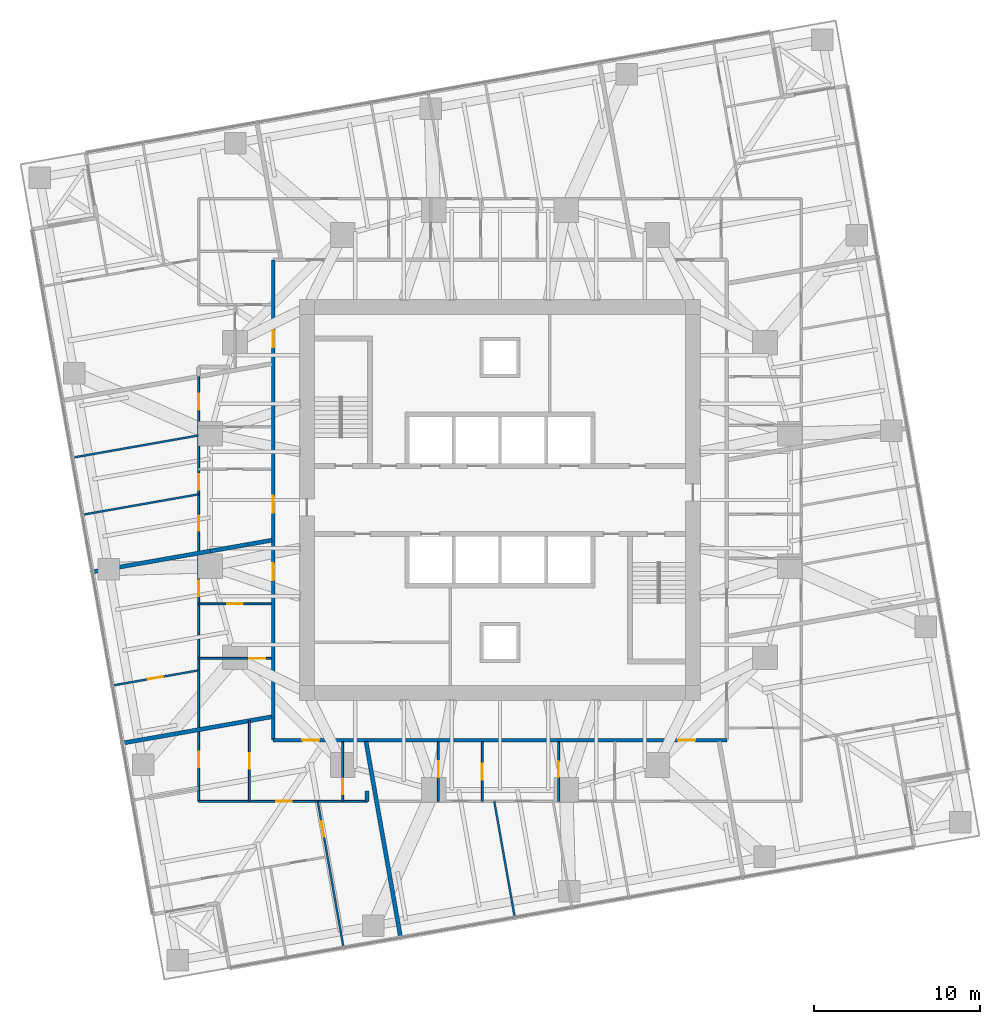
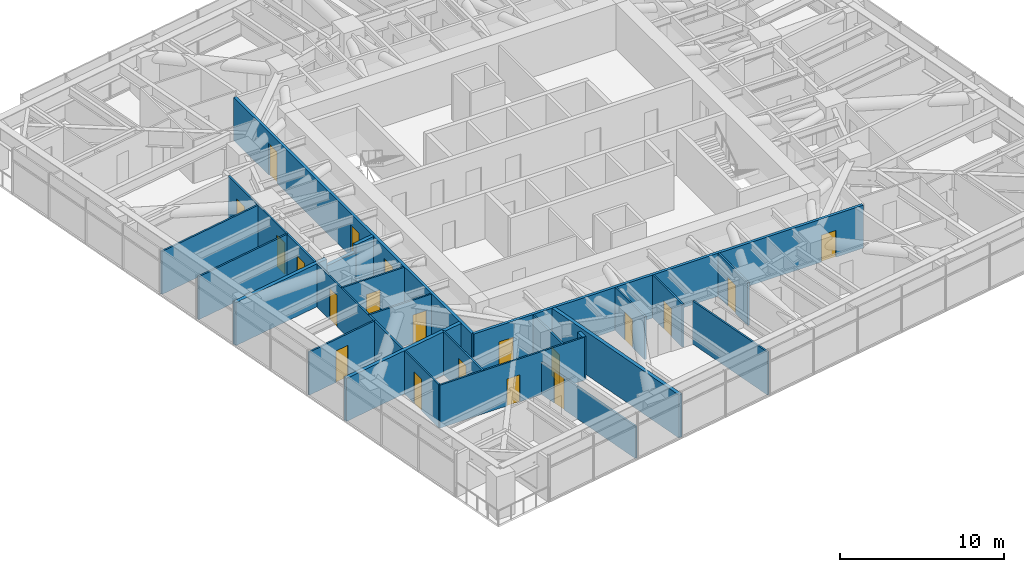
# One storey, part 11 of 17: 22 walls, 20 doors, 20 openings.
"""IFC4 building model written with IfcOpenShell, lengths in metres."""

from ifc_helpers import new_model, si_unit, direction, frame, frame_2d, origin, place, context, subcontext, project, spatial, rectangle, extrude, material, layer, layer_set, type_object, element, fill, save


model = new_model("IFC4")

# Units and contexts
model_context = context("Model", 3, precision=1e-05, world=origin(), true_north=direction((0.0, 1.0)))
body_context = subcontext(model_context, "Body", "Model", "MODEL_VIEW")
ifc_project = project(units=[si_unit("LENGTHUNIT", "METRE"), si_unit("AREAUNIT", "SQUARE_METRE"), si_unit("VOLUMEUNIT", "CUBIC_METRE"), si_unit("PLANEANGLEUNIT", "RADIAN"), si_unit("MASSUNIT", "GRAM", prefix="KILO")], contexts=[model_context])

# Site, building, storey
site_placement = place(None, origin())
site = spatial("IfcSite", under=ifc_project, at=site_placement, CompositionType="ELEMENT")
building_placement = place(site_placement, origin())
building = spatial("IfcBuilding", under=site, at=building_placement, Name="Torsade Residences", CompositionType="ELEMENT")
storey_placement = place(building_placement, frame((0.0, 0.0, 103.199951171875)))
storey = spatial("IfcBuildingStorey", under=building, at=storey_placement, Name="L28", CompositionType="ELEMENT", Elevation=103.199951171875)

# Wall, openings, doors
ifc_material_1 = material(Name="Plasterboard on steel stud", Category="steel")
ifc_layer_1 = layer(ifc_material_1, 0.199951171875)
ifc_layer_set_1 = layer_set([ifc_layer_1], Name="Plasterboard on steel stud")
wall_type_1 = type_object("IfcWallType", Name="CORRIDOR WALL 200", PredefinedType="PARTITIONING", material=ifc_layer_set_1)
wall_1_placement = place(storey_placement, frame((26.300048828125, 15.5, 0.0), z_axis=(0.0, 0.0, 1.0), x_axis=(1.0, 0.0, 0.0)))
wall_1 = element("IfcWall", 1, at=wall_1_placement, inside=storey, type_object=wall_type_1, Name="Corridor wall L28", PredefinedType="PARTITIONING", context=body_context, shape_type="SweptSolid", body=[
    extrude(rectangle(XDim=27.39990234375, YDim=0.199951171875, at=frame_2d((13.699951171875, 0.0))), origin(), (0.0, 0.0, 1.0), 3.199951171875),
])
opening_1_placement = place(wall_1_placement, frame((24.455322265625, 0.0, 0.0)))
opening_1 = element("IfcOpeningElement", 2, at=opening_1_placement, cuts=wall_1, Name="Opening D01N", PredefinedType="OPENING", context=body_context, shape_type="SweptSolid", body=[
    extrude(rectangle(XDim=1.02001953125, YDim=2.0, at=frame_2d((0.510009765625, 1.0))), frame((0.0, 0.10986328125, 0.0), z_axis=(0.0, -1.0, 0.0), x_axis=(1.0, 0.0, 0.0)), (0.0, 0.0, 1.0), 0.219970703125),
])
opening_2_placement = place(wall_1_placement, frame((1.764892578125, 0.0, 0.0)))
opening_2 = element("IfcOpeningElement", 3, at=opening_2_placement, cuts=wall_1, Name="Opening D01N", PredefinedType="OPENING", context=body_context, shape_type="SweptSolid", body=[
    extrude(rectangle(XDim=1.02001953125, YDim=2.0, at=frame_2d((0.510009765625, 1.0))), frame((0.0, 0.10986328125, 0.0), z_axis=(0.0, -1.0, 0.0), x_axis=(1.0, 0.0, 0.0)), (0.0, 0.0, 1.0), 0.219970703125),
])
ifc_material_2 = material(Name="Solid-core timber fire door", Category="wood")
door_type_1 = type_object("IfcDoorType", Name="APARTMENT ENTRY DOOR 1020x2000", OperationType="NOTDEFINED", PredefinedType="DOOR", material=ifc_material_2)
door_1_placement = place(opening_1_placement, origin())
door_1 = element("IfcDoor", 4, at=door_1_placement, inside=storey, type_object=door_type_1, Name="Door Residential corridor to Kitchen and dining", OperationType="SINGLE_SWING_RIGHT", OverallHeight=2.0, OverallWidth=1.02001953125, PredefinedType="DOOR", context=body_context, shape_type="SweptSolid", body=[
    extrude(rectangle(XDim=1.02001953125, YDim=2.0, at=frame_2d((0.510009765625, 1.0))), frame((0.0, 0.02490234375, 0.0), z_axis=(0.0, -1.0, 0.0), x_axis=(1.0, 0.0, 0.0)), (0.0, 0.0, 1.0), 0.050048828125),
])
fill(opening_1, door_1)
door_2_placement = place(opening_2_placement, origin())
door_2 = element("IfcDoor", 5, at=door_2_placement, inside=storey, type_object=door_type_1, Name="Door Residential corridor to Kitchen and dining", OperationType="SINGLE_SWING_LEFT", OverallHeight=2.0, OverallWidth=1.02001953125, PredefinedType="DOOR", context=body_context, shape_type="SweptSolid", body=[
    extrude(rectangle(XDim=1.02001953125, YDim=2.0, at=frame_2d((0.510009765625, 1.0))), frame((0.0, 0.02490234375, 0.0), z_axis=(0.0, -1.0, 0.0), x_axis=(1.0, 0.0, 0.0)), (0.0, 0.0, 1.0), 0.050048828125),
])
fill(opening_2, door_2)

wall_2_placement = place(storey_placement, frame((26.300048828125, 44.5, 0.0), z_axis=(0.0, 0.0, 1.0), x_axis=(0.0, -1.0, 0.0)))
wall_2 = element("IfcWall", 6, at=wall_2_placement, inside=storey, type_object=wall_type_1, Name="Corridor wall L28", PredefinedType="PARTITIONING", context=body_context, shape_type="SweptSolid", body=[
    extrude(rectangle(XDim=29.0, YDim=0.199951171875, at=frame_2d((14.5, 0.0))), origin(), (0.0, 0.0, 1.0), 3.199951171875),
])
opening_3_placement = place(wall_2_placement, frame((14.257080078125, 0.0, 0.0)))
opening_3 = element("IfcOpeningElement", 7, at=opening_3_placement, cuts=wall_2, Name="Opening D01", PredefinedType="OPENING", context=body_context, shape_type="SweptSolid", body=[
    extrude(rectangle(XDim=1.02001953125, YDim=2.340087890625, at=frame_2d((0.510009765625, 1.169921875))), frame((0.0, 0.10986328125, 0.0), z_axis=(0.0, -1.0, 0.0), x_axis=(1.0, 0.0, 0.0)), (0.0, 0.0, 1.0), 0.219970703125),
])
opening_4_placement = place(wall_2_placement, frame((18.321533203125, 0.0, 0.0)))
opening_4 = element("IfcOpeningElement", 8, at=opening_4_placement, cuts=wall_2, Name="Opening D01", PredefinedType="OPENING", context=body_context, shape_type="SweptSolid", body=[
    extrude(rectangle(XDim=1.02001953125, YDim=2.340087890625, at=frame_2d((0.510009765625, 1.169921875))), frame((0.0, 0.10986328125, 0.0), z_axis=(0.0, -1.0, 0.0), x_axis=(1.0, 0.0, 0.0)), (0.0, 0.0, 1.0), 0.219970703125),
])
opening_5_placement = place(wall_2_placement, frame((4.2626953125, 0.0, 0.0)))
opening_5 = element("IfcOpeningElement", 9, at=opening_5_placement, cuts=wall_2, Name="Opening D01", PredefinedType="OPENING", context=body_context, shape_type="SweptSolid", body=[
    extrude(rectangle(XDim=1.02001953125, YDim=2.340087890625, at=frame_2d((0.510009765625, 1.169921875))), frame((0.0, 0.10986328125, 0.0), z_axis=(0.0, -1.0, 0.0), x_axis=(1.0, 0.0, 0.0)), (0.0, 0.0, 1.0), 0.219970703125),
])
ifc_material_3 = material(Name="Solid-core timber fire door", Category="wood")
door_type_2 = type_object("IfcDoorType", Name="APARTMENT ENTRY DOOR 1020x2340", OperationType="NOTDEFINED", PredefinedType="DOOR", material=ifc_material_3)
door_3_placement = place(opening_3_placement, origin())
door_3 = element("IfcDoor", 10, at=door_3_placement, inside=storey, type_object=door_type_2, Name="Door Residential corridor to Kitchen and dining", OperationType="SINGLE_SWING_LEFT", OverallHeight=2.340087890625, OverallWidth=1.02001953125, PredefinedType="DOOR", context=body_context, shape_type="SweptSolid", body=[
    extrude(rectangle(XDim=1.02001953125, YDim=2.340087890625, at=frame_2d((0.510009765625, 1.169921875))), frame((0.0, 0.02490234375, 0.0), z_axis=(0.0, -1.0, 0.0), x_axis=(1.0, 0.0, 0.0)), (0.0, 0.0, 1.0), 0.050048828125),
])
fill(opening_3, door_3)
door_4_placement = place(opening_4_placement, origin())
door_4 = element("IfcDoor", 11, at=door_4_placement, inside=storey, type_object=door_type_2, Name="Door Residential corridor to Kitchen and dining", OperationType="SINGLE_SWING_RIGHT", OverallHeight=2.340087890625, OverallWidth=1.02001953125, PredefinedType="DOOR", context=body_context, shape_type="SweptSolid", body=[
    extrude(rectangle(XDim=1.02001953125, YDim=2.340087890625, at=frame_2d((0.510009765625, 1.169921875))), frame((0.0, 0.02490234375, 0.0), z_axis=(0.0, -1.0, 0.0), x_axis=(1.0, 0.0, 0.0)), (0.0, 0.0, 1.0), 0.050048828125),
])
fill(opening_4, door_4)
door_5_placement = place(opening_5_placement, origin())
door_5 = element("IfcDoor", 12, at=door_5_placement, inside=storey, type_object=door_type_2, Name="Door Residential corridor to Kitchen and dining", OperationType="SINGLE_SWING_RIGHT", OverallHeight=2.340087890625, OverallWidth=1.02001953125, PredefinedType="DOOR", context=body_context, shape_type="SweptSolid", body=[
    extrude(rectangle(XDim=1.02001953125, YDim=2.340087890625, at=frame_2d((0.510009765625, 1.169921875))), frame((0.0, 0.02490234375, 0.0), z_axis=(0.0, -1.0, 0.0), x_axis=(1.0, 0.0, 0.0)), (0.0, 0.0, 1.0), 0.050048828125),
])
fill(opening_5, door_5)

# Wall, opening, door
ifc_material_4 = material(Name="Plasterboard on steel stud", Category="steel")
ifc_layer_2 = layer(ifc_material_4, 0.1201171875)
ifc_layer_set_2 = layer_set([ifc_layer_2], Name="Plasterboard on steel stud")
wall_type_2 = type_object("IfcWallType", Name="PARTITION 120", PredefinedType="PARTITIONING", material=ifc_layer_set_2)
wall_3_placement = place(storey_placement, frame((26.199951171875, 23.731201171875, 0.0), z_axis=(0.0, 0.0, 1.0), x_axis=(-1.0, 0.0, 0.0)))
wall_3 = element("IfcWall", 13, at=wall_3_placement, inside=storey, type_object=wall_type_2, Name="Partition L28", PredefinedType="PARTITIONING", context=body_context, shape_type="SweptSolid", body=[
    extrude(rectangle(XDim=4.39990234375, YDim=0.1201171875, at=frame_2d((2.199951171875, 0.0))), origin(), (0.0, 0.0, 1.0), 3.199951171875),
])
opening_6_placement = place(wall_3_placement, frame((1.719970703125, 0.0, 0.0)))
opening_6 = element("IfcOpeningElement", 14, at=opening_6_placement, cuts=wall_3, Name="Opening D05", PredefinedType="OPENING", context=body_context, shape_type="SweptSolid", body=[
    extrude(rectangle(XDim=0.9599609375, YDim=2.10009765625, at=frame_2d((0.47998046875, 1.050048828125))), frame((0.0, 0.070068359375, 0.0), z_axis=(0.0, -1.0, 0.0), x_axis=(1.0, 0.0, 0.0)), (0.0, 0.0, 1.0), 0.14013671875),
])
ifc_material_5 = material(Name="Hollow-core timber door in a steel cavity frame", Category="steel")
door_type_3 = type_object("IfcDoorType", Name="BATHROOM CAVITY SLIDING DOOR 960", OperationType="SLIDING_TO_LEFT", PredefinedType="DOOR", material=ifc_material_5)
door_6_placement = place(opening_6_placement, origin())
door_6 = element("IfcDoor", 15, at=door_6_placement, inside=storey, type_object=door_type_3, Name="Door Kitchen and dining to Ensuite", OperationType="SLIDING_TO_LEFT", OverallHeight=2.10009765625, OverallWidth=0.9599609375, PredefinedType="DOOR", context=body_context, shape_type="SweptSolid", body=[
    extrude(rectangle(XDim=0.9599609375, YDim=2.10009765625, at=frame_2d((0.47998046875, 1.050048828125))), frame((0.0, 0.02490234375, 0.0), z_axis=(0.0, -1.0, 0.0), x_axis=(1.0, 0.0, 0.0)), (0.0, 0.0, 1.0), 0.050048828125),
])
fill(opening_6, door_6)

# Wall, openings, doors
wall_4_placement = place(storey_placement, frame((21.800048828125, 11.800048828125, 0.0), z_axis=(0.0, 0.0, 1.0), x_axis=(0.0, 1.0, 0.0)))
wall_4 = element("IfcWall", 16, at=wall_4_placement, inside=storey, type_object=wall_type_2, Name="Partition L28", PredefinedType="PARTITIONING", context=body_context, shape_type="SweptSolid", body=[
    extrude(rectangle(XDim=25.65283203125, YDim=0.1201171875, at=frame_2d((12.826416015625, 0.0))), origin(), (0.0, 0.0, 1.0), 3.199951171875),
])
opening_7_placement = place(wall_4_placement, frame((16.333251953125, 0.0, 0.0)))
opening_7 = element("IfcOpeningElement", 17, at=opening_7_placement, cuts=wall_4, Name="Opening D02", PredefinedType="OPENING", context=body_context, shape_type="SweptSolid", body=[
    extrude(rectangle(XDim=0.919921875, YDim=2.340087890625, at=frame_2d((0.4599609375, 1.169921875))), frame((0.0, 0.070068359375, 0.0), z_axis=(0.0, -1.0, 0.0), x_axis=(1.0, 0.0, 0.0)), (0.0, 0.0, 1.0), 0.14013671875),
])
opening_8_placement = place(wall_4_placement, frame((18.821044921875, 0.0, 0.0)))
opening_8 = element("IfcOpeningElement", 18, at=opening_8_placement, cuts=wall_4, Name="Opening D02", PredefinedType="OPENING", context=body_context, shape_type="SweptSolid", body=[
    extrude(rectangle(XDim=0.919921875, YDim=2.340087890625, at=frame_2d((0.4599609375, 1.169921875))), frame((0.0, 0.070068359375, 0.0), z_axis=(0.0, -1.0, 0.0), x_axis=(1.0, 0.0, 0.0)), (0.0, 0.0, 1.0), 0.14013671875),
])
opening_9_placement = place(wall_4_placement, frame((12.401123046875, 0.0, 0.0)))
opening_9 = element("IfcOpeningElement", 19, at=opening_9_placement, cuts=wall_4, Name="Opening D02", PredefinedType="OPENING", context=body_context, shape_type="SweptSolid", body=[
    extrude(rectangle(XDim=0.919921875, YDim=2.340087890625, at=frame_2d((0.4599609375, 1.169921875))), frame((0.0, 0.070068359375, 0.0), z_axis=(0.0, -1.0, 0.0), x_axis=(1.0, 0.0, 0.0)), (0.0, 0.0, 1.0), 0.14013671875),
])
opening_10_placement = place(wall_4_placement, frame((2.06640625, 0.0, 0.0)))
opening_10 = element("IfcOpeningElement", 20, at=opening_10_placement, cuts=wall_4, Name="Opening D02", PredefinedType="OPENING", context=body_context, shape_type="SweptSolid", body=[
    extrude(rectangle(XDim=0.919921875, YDim=2.340087890625, at=frame_2d((0.4599609375, 1.169921875))), frame((0.0, 0.070068359375, 0.0), z_axis=(0.0, -1.0, 0.0), x_axis=(1.0, 0.0, 0.0)), (0.0, 0.0, 1.0), 0.14013671875),
])
opening_11_placement = place(wall_4_placement, frame((23.65087890625, 0.0, 0.0)))
opening_11 = element("IfcOpeningElement", 21, at=opening_11_placement, cuts=wall_4, Name="Opening D05", PredefinedType="OPENING", context=body_context, shape_type="SweptSolid", body=[
    extrude(rectangle(XDim=0.9599609375, YDim=2.10009765625, at=frame_2d((0.47998046875, 1.050048828125))), frame((0.0, 0.070068359375, 0.0), z_axis=(0.0, -1.0, 0.0), x_axis=(1.0, 0.0, 0.0)), (0.0, 0.0, 1.0), 0.14013671875),
])
door_7_placement = place(opening_11_placement, origin())
door_7 = element("IfcDoor", 22, at=door_7_placement, inside=storey, type_object=door_type_3, Name="Door Bathroom to Living room", OperationType="SLIDING_TO_LEFT", OverallHeight=2.10009765625, OverallWidth=0.9599609375, PredefinedType="DOOR", context=body_context, shape_type="SweptSolid", body=[
    extrude(rectangle(XDim=0.9599609375, YDim=2.10009765625, at=frame_2d((0.47998046875, 1.050048828125))), frame((0.0, 0.02490234375, 0.0), z_axis=(0.0, -1.0, 0.0), x_axis=(1.0, 0.0, 0.0)), (0.0, 0.0, 1.0), 0.050048828125),
])
fill(opening_11, door_7)
ifc_material_6 = material(Name="Hollow-core timber door", Category="wood")
door_type_4 = type_object("IfcDoorType", Name="INTERNAL DOOR 920x2340", OperationType="NOTDEFINED", PredefinedType="DOOR", material=ifc_material_6)
door_8_placement = place(opening_7_placement, origin())
door_8 = element("IfcDoor", 23, at=door_8_placement, inside=storey, type_object=door_type_4, Name="Door Kitchen and dining to Bedroom 2", OperationType="SINGLE_SWING_RIGHT", OverallHeight=2.340087890625, OverallWidth=0.919921875, PredefinedType="DOOR", context=body_context, shape_type="SweptSolid", body=[
    extrude(rectangle(XDim=0.919921875, YDim=2.340087890625, at=frame_2d((0.4599609375, 1.169921875))), frame((0.0, 0.02490234375, 0.0), z_axis=(0.0, -1.0, 0.0), x_axis=(1.0, 0.0, 0.0)), (0.0, 0.0, 1.0), 0.050048828125),
])
fill(opening_7, door_8)
door_9_placement = place(opening_8_placement, origin())
door_9 = element("IfcDoor", 24, at=door_9_placement, inside=storey, type_object=door_type_4, Name="Door Kitchen and dining to Bedroom 1", OperationType="SINGLE_SWING_LEFT", OverallHeight=2.340087890625, OverallWidth=0.919921875, PredefinedType="DOOR", context=body_context, shape_type="SweptSolid", body=[
    extrude(rectangle(XDim=0.919921875, YDim=2.340087890625, at=frame_2d((0.4599609375, 1.169921875))), frame((0.0, 0.02490234375, 0.0), z_axis=(0.0, -1.0, 0.0), x_axis=(1.0, 0.0, 0.0)), (0.0, 0.0, 1.0), 0.050048828125),
])
fill(opening_8, door_9)
door_10_placement = place(opening_9_placement, origin())
door_10 = element("IfcDoor", 25, at=door_10_placement, inside=storey, type_object=door_type_4, Name="Door Kitchen and dining to Living room", OperationType="SINGLE_SWING_RIGHT", OverallHeight=2.340087890625, OverallWidth=0.919921875, PredefinedType="DOOR", context=body_context, shape_type="SweptSolid", body=[
    extrude(rectangle(XDim=0.919921875, YDim=2.340087890625, at=frame_2d((0.4599609375, 1.169921875))), frame((0.0, 0.02490234375, 0.0), z_axis=(0.0, -1.0, 0.0), x_axis=(1.0, 0.0, 0.0)), (0.0, 0.0, 1.0), 0.050048828125),
])
fill(opening_9, door_10)
door_11_placement = place(opening_10_placement, origin())
door_11 = element("IfcDoor", 26, at=door_11_placement, inside=storey, type_object=door_type_4, Name="Door Dressing room to Family room", OperationType="SINGLE_SWING_RIGHT", OverallHeight=2.340087890625, OverallWidth=0.919921875, PredefinedType="DOOR", context=body_context, shape_type="SweptSolid", body=[
    extrude(rectangle(XDim=0.919921875, YDim=2.340087890625, at=frame_2d((0.4599609375, 1.169921875))), frame((0.0, 0.02490234375, 0.0), z_axis=(0.0, -1.0, 0.0), x_axis=(1.0, 0.0, 0.0)), (0.0, 0.0, 1.0), 0.050048828125),
])
fill(opening_10, door_11)

# Wall, opening, door
wall_5_placement = place(storey_placement, frame((21.800048828125, 20.430908203125, 0.0), z_axis=(0.0, 0.0, 1.0), x_axis=(1.0, 0.0, 0.0)))
wall_5 = element("IfcWall", 27, at=wall_5_placement, inside=storey, type_object=wall_type_2, Name="Partition L28", PredefinedType="PARTITIONING", context=body_context, shape_type="SweptSolid", body=[
    extrude(rectangle(XDim=4.39990234375, YDim=0.1201171875, at=frame_2d((2.199951171875, 0.0))), origin(), (0.0, 0.0, 1.0), 3.199951171875),
])
opening_12_placement = place(wall_5_placement, frame((3.070068359375, 0.0, 0.0)))
opening_12 = element("IfcOpeningElement", 28, at=opening_12_placement, cuts=wall_5, Name="Opening D05", PredefinedType="OPENING", context=body_context, shape_type="SweptSolid", body=[
    extrude(rectangle(XDim=0.9599609375, YDim=2.10009765625, at=frame_2d((0.47998046875, 1.050048828125))), frame((0.0, 0.070068359375, 0.0), z_axis=(0.0, -1.0, 0.0), x_axis=(1.0, 0.0, 0.0)), (0.0, 0.0, 1.0), 0.14013671875),
])
door_12_placement = place(opening_12_placement, origin())
door_12 = element("IfcDoor", 29, at=door_12_placement, inside=storey, type_object=door_type_3, Name="Door Ensuite to Bathroom", OperationType="SLIDING_TO_LEFT", OverallHeight=2.10009765625, OverallWidth=0.9599609375, PredefinedType="DOOR", context=body_context, shape_type="SweptSolid", body=[
    extrude(rectangle(XDim=0.9599609375, YDim=2.10009765625, at=frame_2d((0.47998046875, 1.050048828125))), frame((0.0, 0.02490234375, 0.0), z_axis=(0.0, -1.0, 0.0), x_axis=(1.0, 0.0, 0.0)), (0.0, 0.0, 1.0), 0.050048828125),
])
fill(opening_12, door_12)

wall_6_placement = place(storey_placement, frame((21.77001953125, 19.7080078125, 0.0), z_axis=(0.0, 0.0, 1.0), x_axis=(-0.984812268581, -0.173622566657, 0.0)))
wall_6 = element("IfcWall", 30, at=wall_6_placement, inside=storey, type_object=wall_type_2, Name="Partition L28", PredefinedType="PARTITIONING", context=body_context, shape_type="SweptSolid", body=[
    extrude(rectangle(XDim=5.2197265625, YDim=0.1201171875, at=frame_2d((2.60986328125, 0.0))), origin(), (0.0, 0.0, 1.0), 3.199951171875),
])
opening_13_placement = place(wall_6_placement, frame((2.15478515625, 0.0, 0.0)))
opening_13 = element("IfcOpeningElement", 31, at=opening_13_placement, cuts=wall_6, Name="Opening D02", PredefinedType="OPENING", context=body_context, shape_type="SweptSolid", body=[
    extrude(rectangle(XDim=0.919921875, YDim=2.340087890625, at=frame_2d((0.4599609375, 1.169921875))), frame((0.0, 0.070068359375, 0.0), z_axis=(0.0, -1.0, 0.0), x_axis=(1.0, 0.0, 0.0)), (0.0, 0.0, 1.0), 0.14013671875),
])
door_13_placement = place(opening_13_placement, origin())
door_13 = element("IfcDoor", 32, at=door_13_placement, inside=storey, type_object=door_type_4, Name="Door Living room to Bedroom 1", OperationType="SINGLE_SWING_LEFT", OverallHeight=2.340087890625, OverallWidth=0.919921875, PredefinedType="DOOR", context=body_context, shape_type="SweptSolid", body=[
    extrude(rectangle(XDim=0.919921875, YDim=2.340087890625, at=frame_2d((0.4599609375, 1.169921875))), frame((0.0, 0.02490234375, 0.0), z_axis=(0.0, -1.0, 0.0), x_axis=(1.0, 0.0, 0.0)), (0.0, 0.0, 1.0), 0.050048828125),
])
fill(opening_13, door_13)

wall_7_placement = place(storey_placement, frame((30.5, 11.800048828125, 0.0), z_axis=(0.0, 0.0, 1.0), x_axis=(0.0, 1.0, 0.0)))
wall_7 = element("IfcWall", 33, at=wall_7_placement, inside=storey, type_object=wall_type_2, Name="Partition L28", PredefinedType="PARTITIONING", context=body_context, shape_type="SweptSolid", body=[
    extrude(rectangle(XDim=3.599853515625, YDim=0.1201171875, at=frame_2d((1.7998046875, 0.0))), origin(), (0.0, 0.0, 1.0), 3.199951171875),
])
opening_14_placement = place(wall_7_placement, frame((0.419921875, 0.0, 0.0)))
opening_14 = element("IfcOpeningElement", 34, at=opening_14_placement, cuts=wall_7, Name="Opening D05", PredefinedType="OPENING", context=body_context, shape_type="SweptSolid", body=[
    extrude(rectangle(XDim=0.9599609375, YDim=2.10009765625, at=frame_2d((0.47998046875, 1.050048828125))), frame((0.0, 0.070068359375, 0.0), z_axis=(0.0, -1.0, 0.0), x_axis=(1.0, 0.0, 0.0)), (0.0, 0.0, 1.0), 0.14013671875),
])
door_14_placement = place(opening_14_placement, origin())
door_14 = element("IfcDoor", 35, at=door_14_placement, inside=storey, type_object=door_type_3, Name="Door Kitchen and dining to Bathroom", OperationType="SLIDING_TO_LEFT", OverallHeight=2.10009765625, OverallWidth=0.9599609375, PredefinedType="DOOR", context=body_context, shape_type="SweptSolid", body=[
    extrude(rectangle(XDim=0.9599609375, YDim=2.10009765625, at=frame_2d((0.47998046875, 1.050048828125))), frame((0.0, 0.02490234375, 0.0), z_axis=(0.0, -1.0, 0.0), x_axis=(1.0, 0.0, 0.0)), (0.0, 0.0, 1.0), 0.050048828125),
])
fill(opening_14, door_14)

wall_8_placement = place(storey_placement, frame((31.975341796875, 11.800048828125, 0.0), z_axis=(0.0, 0.0, 1.0), x_axis=(-1.0, 0.0, 0.0)))
wall_8 = element("IfcWall", 36, at=wall_8_placement, inside=storey, type_object=wall_type_2, Name="Partition L28", PredefinedType="PARTITIONING", context=body_context, shape_type="SweptSolid", body=[
    extrude(rectangle(XDim=10.17529296875, YDim=0.1201171875, at=frame_2d((5.087646484375, 0.0))), origin(), (0.0, 0.0, 1.0), 3.199951171875),
])
opening_15_placement = place(wall_8_placement, frame((4.557861328125, 0.0, 0.0)))
opening_15 = element("IfcOpeningElement", 37, at=opening_15_placement, cuts=wall_8, Name="Opening D02N", PredefinedType="OPENING", context=body_context, shape_type="SweptSolid", body=[
    extrude(rectangle(XDim=0.919921875, YDim=2.0, at=frame_2d((0.4599609375, 1.0))), frame((0.0, 0.070068359375, 0.0), z_axis=(0.0, -1.0, 0.0), x_axis=(1.0, 0.0, 0.0)), (0.0, 0.0, 1.0), 0.14013671875),
])
ifc_material_7 = material(Name="Hollow-core timber door", Category="wood")
door_type_5 = type_object("IfcDoorType", Name="INTERNAL DOOR 920x2000", OperationType="NOTDEFINED", PredefinedType="DOOR", material=ifc_material_7)
door_15_placement = place(opening_15_placement, origin())
door_15 = element("IfcDoor", 38, at=door_15_placement, inside=storey, type_object=door_type_5, Name="Door Kitchen and dining to Living room", OperationType="SINGLE_SWING_LEFT", OverallHeight=2.0, OverallWidth=0.919921875, PredefinedType="DOOR", context=body_context, shape_type="SweptSolid", body=[
    extrude(rectangle(XDim=0.919921875, YDim=2.0, at=frame_2d((0.4599609375, 1.0))), frame((0.0, 0.02490234375, 0.0), z_axis=(0.0, -1.0, 0.0), x_axis=(1.0, 0.0, 0.0)), (0.0, 0.0, 1.0), 0.050048828125),
])
fill(opening_15, door_15)

wall_9_placement = place(storey_placement, frame((24.871337890625, 11.800048828125, 0.0), z_axis=(0.0, 0.0, 1.0), x_axis=(0.0, 1.0, 0.0)))
wall_9 = element("IfcWall", 39, at=wall_9_placement, inside=storey, type_object=wall_type_2, Name="Partition L28", PredefinedType="PARTITIONING", context=body_context, shape_type="SweptSolid", body=[
    extrude(rectangle(XDim=4.870361328125, YDim=0.1201171875, at=frame_2d((2.43505859375, 0.0))), origin(), (0.0, 0.0, 1.0), 3.199951171875),
])
opening_16_placement = place(wall_9_placement, frame((1.97509765625, 0.0, 0.0)))
opening_16 = element("IfcOpeningElement", 40, at=opening_16_placement, cuts=wall_9, Name="Opening D02", PredefinedType="OPENING", context=body_context, shape_type="SweptSolid", body=[
    extrude(rectangle(XDim=0.919921875, YDim=2.340087890625, at=frame_2d((0.4599609375, 1.169921875))), frame((0.0, 0.070068359375, 0.0), z_axis=(0.0, -1.0, 0.0), x_axis=(1.0, 0.0, 0.0)), (0.0, 0.0, 1.0), 0.14013671875),
])
door_16_placement = place(opening_16_placement, origin())
door_16 = element("IfcDoor", 41, at=door_16_placement, inside=storey, type_object=door_type_4, Name="Door Kitchen and dining to Dressing room", OperationType="SINGLE_SWING_RIGHT", OverallHeight=2.340087890625, OverallWidth=0.919921875, PredefinedType="DOOR", context=body_context, shape_type="SweptSolid", body=[
    extrude(rectangle(XDim=0.919921875, YDim=2.340087890625, at=frame_2d((0.4599609375, 1.169921875))), frame((0.0, 0.02490234375, 0.0), z_axis=(0.0, -1.0, 0.0), x_axis=(1.0, 0.0, 0.0)), (0.0, 0.0, 1.0), 0.050048828125),
])
fill(opening_16, door_16)

wall_10_placement = place(storey_placement, frame((28.9931640625, 11.800048828125, 0.0), z_axis=(0.0, 0.0, 1.0), x_axis=(0.173639020759, -0.984809367578, 0.0)))
wall_10 = element("IfcWall", 42, at=wall_10_placement, inside=storey, type_object=wall_type_2, Name="Partition L28", PredefinedType="PARTITIONING", context=body_context, shape_type="SweptSolid", body=[
    extrude(rectangle(XDim=8.947998046875, YDim=0.1201171875, at=frame_2d((4.47412109375, 0.0))), origin(), (0.0, 0.0, 1.0), 2.400146484375),
])
opening_17_placement = place(wall_10_placement, frame((1.234130859375, 0.0, 0.0)))
opening_17 = element("IfcOpeningElement", 43, at=opening_17_placement, cuts=wall_10, Name="Opening D02", PredefinedType="OPENING", context=body_context, shape_type="SweptSolid", body=[
    extrude(rectangle(XDim=0.919921875, YDim=2.340087890625, at=frame_2d((0.4599609375, 1.169921875))), frame((0.0, 0.070068359375, 0.0), z_axis=(0.0, -1.0, 0.0), x_axis=(1.0, 0.0, 0.0)), (0.0, 0.0, 1.0), 0.14013671875),
])
door_17_placement = place(opening_17_placement, origin())
door_17 = element("IfcDoor", 44, at=door_17_placement, inside=storey, type_object=door_type_4, Name="Door Living room to Bedroom 1", OperationType="SINGLE_SWING_LEFT", OverallHeight=2.340087890625, OverallWidth=0.919921875, PredefinedType="DOOR", context=body_context, shape_type="SweptSolid", body=[
    extrude(rectangle(XDim=0.919921875, YDim=2.340087890625, at=frame_2d((0.4599609375, 1.169921875))), frame((0.0, 0.02490234375, 0.0), z_axis=(0.0, -1.0, 0.0), x_axis=(1.0, 0.0, 0.0)), (0.0, 0.0, 1.0), 0.050048828125),
])
fill(opening_17, door_17)

wall_11_placement = place(storey_placement, frame((43.53759765625, 15.39990234375, 0.0), z_axis=(0.0, 0.0, 1.0), x_axis=(0.0, -1.0, 0.0)))
wall_11 = element("IfcWall", 45, at=wall_11_placement, inside=storey, type_object=wall_type_2, Name="Partition L28", PredefinedType="PARTITIONING", context=body_context, shape_type="SweptSolid", body=[
    extrude(rectangle(XDim=3.599853515625, YDim=0.1201171875, at=frame_2d((1.7998046875, 0.0))), origin(), (0.0, 0.0, 1.0), 3.199951171875),
])
opening_18_placement = place(wall_11_placement, frame((1.169921875, 0.0, 0.0)))
opening_18 = element("IfcOpeningElement", 46, at=opening_18_placement, cuts=wall_11, Name="Opening D05", PredefinedType="OPENING", context=body_context, shape_type="SweptSolid", body=[
    extrude(rectangle(XDim=0.9599609375, YDim=2.10009765625, at=frame_2d((0.47998046875, 1.050048828125))), frame((0.0, 0.070068359375, 0.0), z_axis=(0.0, -1.0, 0.0), x_axis=(1.0, 0.0, 0.0)), (0.0, 0.0, 1.0), 0.14013671875),
])
door_18_placement = place(opening_18_placement, origin())
door_18 = element("IfcDoor", 47, at=door_18_placement, inside=storey, type_object=door_type_3, Name="Door Laundry to Bathroom", OperationType="SLIDING_TO_LEFT", OverallHeight=2.10009765625, OverallWidth=0.9599609375, PredefinedType="DOOR", context=body_context, shape_type="SweptSolid", body=[
    extrude(rectangle(XDim=0.9599609375, YDim=2.10009765625, at=frame_2d((0.47998046875, 1.050048828125))), frame((0.0, 0.02490234375, 0.0), z_axis=(0.0, -1.0, 0.0), x_axis=(1.0, 0.0, 0.0)), (0.0, 0.0, 1.0), 0.050048828125),
])
fill(opening_18, door_18)

wall_12_placement = place(storey_placement, frame((38.9287109375, 11.800048828125, 0.0), z_axis=(0.0, 0.0, 1.0), x_axis=(0.0, 1.0, 0.0)))
wall_12 = element("IfcWall", 48, at=wall_12_placement, inside=storey, type_object=wall_type_2, Name="Partition L28", PredefinedType="PARTITIONING", context=body_context, shape_type="SweptSolid", body=[
    extrude(rectangle(XDim=3.599853515625, YDim=0.1201171875, at=frame_2d((1.7998046875, 0.0))), origin(), (0.0, 0.0, 1.0), 3.199951171875),
])
opening_19_placement = place(wall_12_placement, frame((1.320068359375, 0.0, 0.0)))
opening_19 = element("IfcOpeningElement", 49, at=opening_19_placement, cuts=wall_12, Name="Opening D05", PredefinedType="OPENING", context=body_context, shape_type="SweptSolid", body=[
    extrude(rectangle(XDim=0.9599609375, YDim=2.10009765625, at=frame_2d((0.47998046875, 1.050048828125))), frame((0.0, 0.070068359375, 0.0), z_axis=(0.0, -1.0, 0.0), x_axis=(1.0, 0.0, 0.0)), (0.0, 0.0, 1.0), 0.14013671875),
])
door_19_placement = place(opening_19_placement, origin())
door_19 = element("IfcDoor", 50, at=door_19_placement, inside=storey, type_object=door_type_3, Name="Door Bathroom to Study", OperationType="SLIDING_TO_LEFT", OverallHeight=2.10009765625, OverallWidth=0.9599609375, PredefinedType="DOOR", context=body_context, shape_type="SweptSolid", body=[
    extrude(rectangle(XDim=0.9599609375, YDim=2.10009765625, at=frame_2d((0.47998046875, 1.050048828125))), frame((0.0, 0.02490234375, 0.0), z_axis=(0.0, -1.0, 0.0), x_axis=(1.0, 0.0, 0.0)), (0.0, 0.0, 1.0), 0.050048828125),
])
fill(opening_19, door_19)

wall_13_placement = place(storey_placement, frame((36.28271484375, 15.39990234375, 0.0), z_axis=(0.0, 0.0, 1.0), x_axis=(0.0, -1.0, 0.0)))
wall_13 = element("IfcWall", 51, at=wall_13_placement, inside=storey, type_object=wall_type_2, Name="Partition L28", PredefinedType="PARTITIONING", context=body_context, shape_type="SweptSolid", body=[
    extrude(rectangle(XDim=3.599853515625, YDim=0.1201171875, at=frame_2d((1.7998046875, 0.0))), origin(), (0.0, 0.0, 1.0), 3.199951171875),
])
opening_20_placement = place(wall_13_placement, frame((1.169921875, 0.0, 0.0)))
opening_20 = element("IfcOpeningElement", 52, at=opening_20_placement, cuts=wall_13, Name="Opening D05", PredefinedType="OPENING", context=body_context, shape_type="SweptSolid", body=[
    extrude(rectangle(XDim=0.9599609375, YDim=2.10009765625, at=frame_2d((0.47998046875, 1.050048828125))), frame((0.0, 0.070068359375, 0.0), z_axis=(0.0, -1.0, 0.0), x_axis=(1.0, 0.0, 0.0)), (0.0, 0.0, 1.0), 0.14013671875),
])
door_20_placement = place(opening_20_placement, origin())
door_20 = element("IfcDoor", 53, at=door_20_placement, inside=storey, type_object=door_type_3, Name="Door Study to Ensuite", OperationType="SLIDING_TO_LEFT", OverallHeight=2.10009765625, OverallWidth=0.9599609375, PredefinedType="DOOR", context=body_context, shape_type="SweptSolid", body=[
    extrude(rectangle(XDim=0.9599609375, YDim=2.10009765625, at=frame_2d((0.47998046875, 1.050048828125))), frame((0.0, 0.02490234375, 0.0), z_axis=(0.0, -1.0, 0.0), x_axis=(1.0, 0.0, 0.0)), (0.0, 0.0, 1.0), 0.050048828125),
])
fill(opening_20, door_20)

# Walls
wall_14_placement = place(storey_placement, frame((39.6552734375, 11.800048828125, 0.0), z_axis=(0.0, 0.0, 1.0), x_axis=(0.17363617165, -0.984809869921, 0.0)))
element("IfcWall", 54, at=wall_14_placement, inside=storey, type_object=wall_type_2, Name="Partition L28", PredefinedType="PARTITIONING", context=body_context, shape_type="SweptSolid", body=[
    extrude(rectangle(XDim=7.096435546875, YDim=0.1201171875, at=frame_2d((3.54833984375, 0.0))), origin(), (0.0, 0.0, 1.0), 3.199951171875),
])
wall_15_placement = place(storey_placement, frame((21.800048828125, 33.89892578125, 0.0), z_axis=(0.0, 0.0, 1.0), x_axis=(-0.984804581119, -0.173666165406, 0.0)))
element("IfcWall", 55, at=wall_15_placement, inside=storey, type_object=wall_type_2, Name="Partition L28", PredefinedType="PARTITIONING", context=body_context, shape_type="SweptSolid", body=[
    extrude(rectangle(XDim=7.713623046875, YDim=0.1201171875, at=frame_2d((3.85693359375, 0.0))), origin(), (0.0, 0.0, 1.0), 3.199951171875),
])
wall_16_placement = place(storey_placement, frame((21.800048828125, 30.3447265625, 0.0), z_axis=(0.0, 0.0, 1.0), x_axis=(-0.984809869921, -0.17363617165, 0.0)))
element("IfcWall", 56, at=wall_16_placement, inside=storey, type_object=wall_type_2, Name="Partition L28", PredefinedType="PARTITIONING", context=body_context, shape_type="SweptSolid", body=[
    extrude(rectangle(XDim=7.096435546875, YDim=0.1201171875, at=frame_2d((3.54833984375, 0.0))), origin(), (0.0, 0.0, 1.0), 3.199951171875),
])
ifc_material_8 = material(Name="Masonry-lined stud party wall", Category="masonry")
ifc_layer_3 = layer(ifc_material_8, 0.25)
ifc_layer_set_3 = layer_set([ifc_layer_3], Name="Masonry-lined stud party wall")
wall_type_3 = type_object("IfcWallType", Name="PARTY WALL 250", PredefinedType="PARTITIONING", material=ifc_layer_set_3)
wall_17_placement = place(storey_placement, frame((34.000732421875, 3.556396484375, 0.0), z_axis=(0.0, 0.0, 1.0), x_axis=(-0.173654664517, 0.984806609184, 0.0)))
element("IfcWall", 57, at=wall_17_placement, inside=storey, type_object=wall_type_3, Name="Party wall L28", PredefinedType="PARTITIONING", context=body_context, shape_type="SweptSolid", body=[
    extrude(rectangle(XDim=12.04443359375, YDim=0.25, at=frame_2d((6.022216796875, 0.0))), origin(), (0.0, 0.0, 1.0), 3.199951171875),
])
wall_18_placement = place(storey_placement, frame((17.203125, 15.318359375, 0.0), z_axis=(0.0, 0.0, 1.0), x_axis=(0.984810933893, 0.173630137029, 0.0)))
element("IfcWall", 58, at=wall_18_placement, inside=storey, type_object=wall_type_3, Name="Party wall L28", PredefinedType="PARTITIONING", context=body_context, shape_type="SweptSolid", body=[
    extrude(rectangle(XDim=9.153564453125, YDim=0.25, at=frame_2d((4.57666015625, 0.0))), origin(), (0.0, 0.0, 1.0), 3.199951171875),
])
wall_19_placement = place(storey_placement, frame((15.3798828125, 25.65869140625, 0.0), z_axis=(0.0, 0.0, 1.0), x_axis=(0.984806967559, 0.173652632134, 0.0)))
element("IfcWall", 59, at=wall_19_placement, inside=storey, type_object=wall_type_3, Name="Party wall L28", PredefinedType="PARTITIONING", context=body_context, shape_type="SweptSolid", body=[
    extrude(rectangle(XDim=7.241943359375, YDim=0.25, at=frame_2d((3.62109375, 0.0))), origin(), (0.0, 0.0, 1.0), 3.199951171875),
])
wall_20_placement = place(storey_placement, frame((22.51171875, 26.916259765625, 0.0), z_axis=(0.0, 0.0, 1.0), x_axis=(0.98479532969, 0.173718619099, 0.0)))
element("IfcWall", 60, at=wall_20_placement, inside=storey, type_object=wall_type_3, Name="Party wall L28", PredefinedType="PARTITIONING", context=body_context, shape_type="SweptSolid", body=[
    extrude(rectangle(XDim=2.29638671875, YDim=0.25, at=frame_2d((1.148193359375, 0.0))), origin(), (0.0, 0.0, 1.0), 2.672119140625),
])
wall_21_placement = place(storey_placement, frame((24.773193359375, 27.315185546875, 0.0), z_axis=(0.0, 0.0, 1.0), x_axis=(0.984817051632, 0.173595434317, 0.0)))
element("IfcWall", 61, at=wall_21_placement, inside=storey, type_object=wall_type_3, Name="Party wall L28", PredefinedType="PARTITIONING", context=body_context, shape_type="SweptSolid", body=[
    extrude(rectangle(XDim=1.466796875, YDim=0.25, at=frame_2d((0.7333984375, 0.0))), origin(), (0.0, 0.0, 1.0), 3.199951171875),
])
wall_22_placement = place(storey_placement, frame((31.975341796875, 12.421875, 0.0), z_axis=(0.0, 0.0, 1.0), x_axis=(0.0, -1.0, 0.0)))
element("IfcWall", 62, at=wall_22_placement, inside=storey, type_object=wall_type_3, Name="Party wall L28", PredefinedType="PARTITIONING", context=body_context, shape_type="SweptSolid", body=[
    extrude(rectangle(XDim=0.621826171875, YDim=0.25, at=frame_2d((0.31103515625, 0.0))), origin(), (0.0, 0.0, 1.0), 3.199951171875),
])

save(model, "model.ifc")
